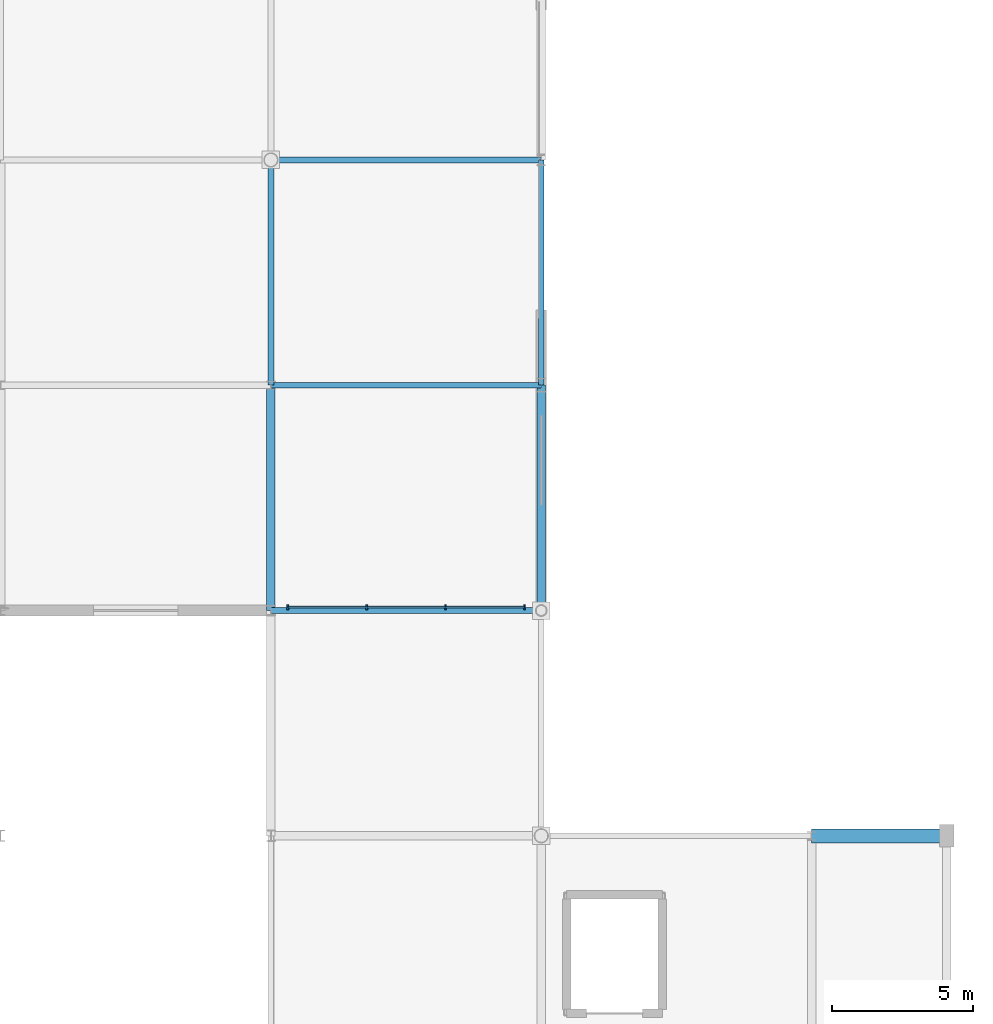
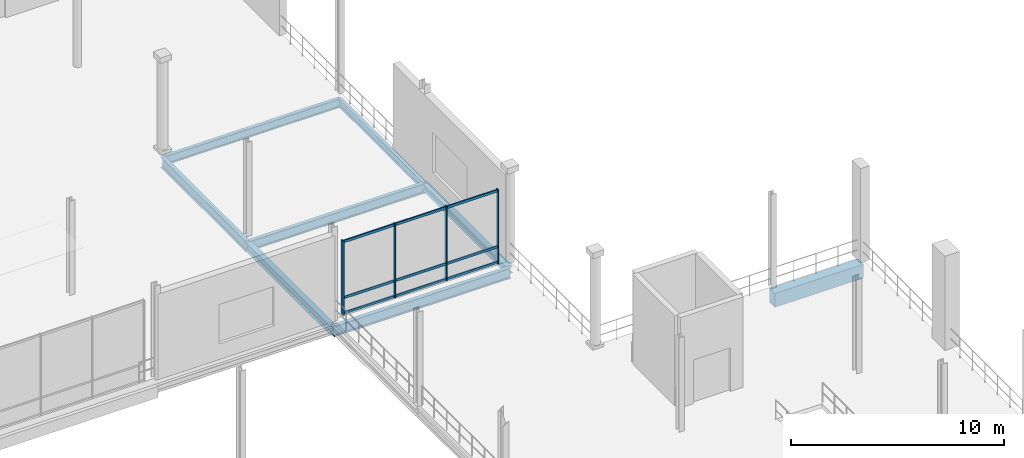
# One storey, part 61 of 129: 8 beams, 7 members, 1 element without a shape of its own.
"""IFC4 building model written with IfcOpenShell, lengths in metres."""

from ifc_helpers import new_model, si_unit, direction, frame, origin, origin_2d, place, context, subcontext, project, spatial, rectangle, i_section, extrude, material, material_profile, profile_set, type_object, element, aggregate, save


model = new_model("IFC4")

# Units and contexts
model_context = context("Model", 3, precision=1e-05, world=origin(), true_north=direction((0.0, 1.0)))
body_context = subcontext(model_context, "Body", "Model", "MODEL_VIEW")
ifc_project = project(units=[si_unit("LENGTHUNIT", "METRE"), si_unit("AREAUNIT", "SQUARE_METRE"), si_unit("VOLUMEUNIT", "CUBIC_METRE"), si_unit("PLANEANGLEUNIT", "RADIAN"), si_unit("MASSUNIT", "GRAM", prefix="KILO")], contexts=[model_context])

# Site, building, storey
site_placement = place(None, origin())
site = spatial("IfcSite", under=ifc_project, at=site_placement, CompositionType="ELEMENT")
building_placement = place(site_placement, origin())
building = spatial("IfcBuilding", under=site, at=building_placement, Name="Danafjord Basin Convention Centre", CompositionType="ELEMENT")
storey_placement = place(building_placement, frame((0.0, 0.0, 6.0)))
storey = spatial("IfcBuildingStorey", under=building, at=storey_placement, Name="L01", CompositionType="ELEMENT", Elevation=6.0)

# Beams
ifc_material_1 = material(Name="Steel S355", Category="steel")
ifc_material_profile_1 = material_profile(ifc_material_1, i_section(OverallWidth=0.300048828125, OverallDepth=0.5, WebThickness=0.014404296875, FlangeThickness=0.028076171875, FilletRadius=0.027099609375, at=origin_2d()), Name="HEB 500")
ifc_profile_set_1 = profile_set([ifc_material_profile_1], Name="Steel S355")
beam_type_1 = type_object("IfcBeamType", Name="BEAM-BM-HEB500", PredefinedType="BEAM", material=ifc_profile_set_1)
beam_1_placement = place(storey_placement, frame((192.0, 88.0, -0.610107421875), z_axis=(0.0, 1.0, 0.0), x_axis=(-1.0, 0.0, 0.0)))
element("IfcBeam", 1, at=beam_1_placement, inside=storey, type_object=beam_type_1, Name="L01 transverse girder BM-HEB500", PredefinedType="BEAM", context=body_context, shape_type="SweptSolid", body=[
    extrude(i_section(OverallWidth=0.300048828125, OverallDepth=0.5, WebThickness=0.014404296875, FlangeThickness=0.028076171875, FilletRadius=0.027099609375, at=origin_2d()), origin(), (0.0, 0.0, 1.0), 8.0),
])
ifc_material_profile_2 = material_profile(ifc_material_1, i_section(OverallWidth=0.199951171875, OverallDepth=0.5, WebThickness=0.01025390625, FlangeThickness=0.01611328125, FilletRadius=0.02099609375, at=origin_2d()), Name="IPE 500")
ifc_profile_set_2 = profile_set([ifc_material_profile_2], Name="Steel S355")
beam_type_2 = type_object("IfcBeamType", Name="BEAM-BM-IPE500", PredefinedType="BEAM", material=ifc_profile_set_2)
beam_2_placement = place(storey_placement, frame((192.0, 104.0, -0.610107421875), z_axis=(1.0, 0.0, 0.0), x_axis=(0.0, 1.0, 0.0)))
element("IfcBeam", 2, at=beam_2_placement, inside=storey, type_object=beam_type_2, Name="L01 girder BM-IPE500", PredefinedType="BEAM", context=body_context, shape_type="SweptSolid", body=[
    extrude(i_section(OverallWidth=0.199951171875, OverallDepth=0.5, WebThickness=0.01025390625, FlangeThickness=0.01611328125, FilletRadius=0.02099609375, at=origin_2d()), origin(), (0.0, 0.0, 1.0), 9.60009765625),
])
ifc_material_profile_3 = material_profile(ifc_material_1, i_section(OverallWidth=0.2099609375, OverallDepth=0.550048828125, WebThickness=0.010986328125, FlangeThickness=0.01708984375, FilletRadius=0.02392578125, at=origin_2d()), Name="IPE 550")
ifc_profile_set_3 = profile_set([ifc_material_profile_3], Name="Steel S355")
beam_type_3 = type_object("IfcBeamType", Name="BEAM-BM-IPE550", PredefinedType="BEAM", material=ifc_profile_set_3)
beam_3_placement = place(storey_placement, frame((192.0, 96.0, -0.635009765625), z_axis=(1.0, 0.0, 0.0), x_axis=(0.0, 1.0, 0.0)))
element("IfcBeam", 3, at=beam_3_placement, inside=storey, type_object=beam_type_3, Name="L01 girder BM-IPE550", PredefinedType="BEAM", context=body_context, shape_type="SweptSolid", body=[
    extrude(i_section(OverallWidth=0.2099609375, OverallDepth=0.550048828125, WebThickness=0.010986328125, FlangeThickness=0.01708984375, FilletRadius=0.02392578125, at=origin_2d()), origin(), (0.0, 0.0, 1.0), 9.60009765625),
])
ifc_material_profile_4 = material_profile(ifc_material_1, i_section(OverallWidth=0.219970703125, OverallDepth=0.60009765625, WebThickness=0.011962890625, FlangeThickness=0.01904296875, FilletRadius=0.02392578125, at=origin_2d()), Name="IPE 600")
ifc_profile_set_4 = profile_set([ifc_material_profile_4], Name="Steel S355")
beam_type_4 = type_object("IfcBeamType", Name="BEAM-BM-IPE600", PredefinedType="BEAM", material=ifc_profile_set_4)
beam_4_placement = place(storey_placement, frame((192.0, 88.0, -0.659912109375), z_axis=(1.0, 0.0, 0.0), x_axis=(0.0, 1.0, 0.0)))
element("IfcBeam", 4, at=beam_4_placement, inside=storey, type_object=beam_type_4, Name="L01 girder BM-IPE600", PredefinedType="BEAM", context=body_context, shape_type="SweptSolid", body=[
    extrude(i_section(OverallWidth=0.219970703125, OverallDepth=0.60009765625, WebThickness=0.011962890625, FlangeThickness=0.01904296875, FilletRadius=0.02392578125, at=origin_2d()), origin(), (0.0, 0.0, 1.0), 9.60009765625),
])
beam_5_placement = place(storey_placement, frame((192.0, 96.0, -0.659912109375), z_axis=(0.0, 1.0, 0.0), x_axis=(-1.0, 0.0, 0.0)))
element("IfcBeam", 5, at=beam_5_placement, inside=storey, type_object=beam_type_4, Name="L01 transverse girder BM-IPE600", PredefinedType="BEAM", context=body_context, shape_type="SweptSolid", body=[
    extrude(i_section(OverallWidth=0.219970703125, OverallDepth=0.60009765625, WebThickness=0.011962890625, FlangeThickness=0.01904296875, FilletRadius=0.02392578125, at=origin_2d()), origin(), (0.0, 0.0, 1.0), 8.0),
])
ifc_material_profile_5 = material_profile(ifc_material_1, i_section(OverallWidth=0.300048828125, OverallDepth=0.39990234375, WebThickness=0.013427734375, FlangeThickness=0.02392578125, FilletRadius=0.027099609375, at=origin_2d()), Name="HEB 400")
ifc_profile_set_5 = profile_set([ifc_material_profile_5], Name="Steel S355")
beam_type_5 = type_object("IfcBeamType", Name="BEAM-SP-HEB400", PredefinedType="SPANDREL", material=ifc_profile_set_5)
beam_6_placement = place(storey_placement, frame((201.60009765625, 88.0, -0.56005859375), z_axis=(0.0, 1.0, 0.0), x_axis=(-1.0, 0.0, 0.0)))
element("IfcBeam", 6, at=beam_6_placement, inside=storey, type_object=beam_type_5, Name="L01 transverse girder SP-HEB400", PredefinedType="SPANDREL", context=body_context, shape_type="SweptSolid", body=[
    extrude(i_section(OverallWidth=0.300048828125, OverallDepth=0.39990234375, WebThickness=0.013427734375, FlangeThickness=0.02392578125, FilletRadius=0.027099609375, at=origin_2d()), origin(), (0.0, 0.0, 1.0), 8.0),
])
ifc_material_profile_6 = material_profile(ifc_material_1, i_section(OverallWidth=0.18994140625, OverallDepth=0.449951171875, WebThickness=0.009521484375, FlangeThickness=0.0146484375, FilletRadius=0.02099609375, at=origin_2d()), Name="IPE 450")
ifc_profile_set_6 = profile_set([ifc_material_profile_6], Name="Steel S355")
beam_type_6 = type_object("IfcBeamType", Name="BEAM-SP-IPE450", PredefinedType="SPANDREL", material=ifc_profile_set_6)
beam_7_placement = place(storey_placement, frame((201.60009765625, 96.0, -0.5849609375), z_axis=(0.0, 1.0, 0.0), x_axis=(-1.0, 0.0, 0.0)))
element("IfcBeam", 7, at=beam_7_placement, inside=storey, type_object=beam_type_6, Name="L01 transverse girder SP-IPE450", PredefinedType="SPANDREL", context=body_context, shape_type="SweptSolid", body=[
    extrude(i_section(OverallWidth=0.18994140625, OverallDepth=0.449951171875, WebThickness=0.009521484375, FlangeThickness=0.0146484375, FilletRadius=0.02099609375, at=origin_2d()), origin(), (0.0, 0.0, 1.0), 8.0),
])
ifc_material_2 = material(Name="Precast concrete C45/55", Category="concrete")
ifc_material_profile_7 = material_profile(ifc_material_2, rectangle(XDim=0.5, YDim=0.800048828125, at=origin_2d()), Name="PCB 500x800")
ifc_profile_set_7 = profile_set([ifc_material_profile_7], Name="Precast concrete C45/55")
beam_type_7 = type_object("IfcBeamType", Name="BEAM-SP-PCB800", PredefinedType="SPANDREL", material=ifc_profile_set_7)
beam_8_placement = place(storey_placement, frame((211.199951171875, 80.0, -0.64990234375), z_axis=(1.0, 0.0, 0.0), x_axis=(0.0, 1.0, 0.0)))
element("IfcBeam", 8, at=beam_8_placement, inside=storey, type_object=beam_type_7, Name="L01 girder SP-PCB800", PredefinedType="SPANDREL", context=body_context, shape_type="SweptSolid", body=[
    extrude(rectangle(XDim=0.5, YDim=0.800048828125, at=origin_2d()), origin(), (0.0, 0.0, 1.0), 4.800048828125),
])

# Curtain wall, members
ifc_material_3 = material(Name="Anodised aluminium and triple glazing", Category="aluminium")
curtain_wall_type = type_object("IfcCurtainWallType", Name="CW-CW-DRUM", PredefinedType="NOTDEFINED", material=ifc_material_3)
curtain_wall_placement = place(storey_placement, origin())
curtain_wall = element("IfcCurtainWall", 9, at=curtain_wall_placement, inside=storey, type_object=curtain_wall_type, Name="L01 CW-DRUM unitised curtain wall bay 121", PredefinedType="NOTDEFINED")
ifc_material_4 = material(Name="Anodised aluminium EN AW-6060", Category="aluminium")
ifc_material_profile_8 = material_profile(ifc_material_4, rectangle(XDim=0.06005859375, YDim=0.179931640625, at=origin_2d()), Name="MULL 60x180")
ifc_profile_set_8 = profile_set([ifc_material_profile_8], Name="Anodised aluminium EN AW-6060")
member_type_1 = type_object("IfcMemberType", Name="MEM-ML-180", PredefinedType="MULLION", material=ifc_profile_set_8)
member_1_placement = place(storey_placement, frame((192.60009765625, 88.1201171875, -0.02490234375), z_axis=(0.0, 0.0, 1.0), x_axis=(1.0, 0.0, 0.0)))
member_1 = element("IfcMember", 10, at=member_1_placement, type_object=member_type_1, Name="CW-L01-121 mullion 1", PredefinedType="MULLION", context=body_context, shape_type="SweptSolid", body=[
    extrude(rectangle(XDim=0.06005859375, YDim=0.179931640625, at=origin_2d()), origin(), (0.0, 0.0, 1.0), 4.2548828125),
])
member_2_placement = place(storey_placement, frame((195.39990234375, 88.1201171875, -0.02490234375), z_axis=(0.0, 0.0, 1.0), x_axis=(1.0, 0.0, 0.0)))
member_2 = element("IfcMember", 11, at=member_2_placement, type_object=member_type_1, Name="CW-L01-121 mullion 2", PredefinedType="MULLION", context=body_context, shape_type="SweptSolid", body=[
    extrude(rectangle(XDim=0.06005859375, YDim=0.179931640625, at=origin_2d()), origin(), (0.0, 0.0, 1.0), 4.2548828125),
])
member_3_placement = place(storey_placement, frame((198.199951171875, 88.1201171875, -0.02490234375), z_axis=(0.0, 0.0, 1.0), x_axis=(1.0, 0.0, 0.0)))
member_3 = element("IfcMember", 12, at=member_3_placement, type_object=member_type_1, Name="CW-L01-121 mullion 3", PredefinedType="MULLION", context=body_context, shape_type="SweptSolid", body=[
    extrude(rectangle(XDim=0.06005859375, YDim=0.179931640625, at=origin_2d()), origin(), (0.0, 0.0, 1.0), 4.2548828125),
])
member_4_placement = place(storey_placement, frame((201.0, 88.1201171875, -0.02490234375), z_axis=(0.0, 0.0, 1.0), x_axis=(1.0, 0.0, 0.0)))
member_4 = element("IfcMember", 13, at=member_4_placement, type_object=member_type_1, Name="CW-L01-121 mullion 4", PredefinedType="MULLION", context=body_context, shape_type="SweptSolid", body=[
    extrude(rectangle(XDim=0.06005859375, YDim=0.179931640625, at=origin_2d()), origin(), (0.0, 0.0, 1.0), 4.2548828125),
])
ifc_material_profile_9 = material_profile(ifc_material_4, rectangle(XDim=0.06005859375, YDim=0.14990234375, at=origin_2d()), Name="TRAN 60x150")
ifc_profile_set_9 = profile_set([ifc_material_profile_9], Name="Anodised aluminium EN AW-6060")
member_type_2 = type_object("IfcMemberType", Name="MEM-TR-150", PredefinedType="USERDEFINED", material=ifc_profile_set_9)
member_5_placement = place(storey_placement, frame((192.60009765625, 88.1201171875, 0.06005859375), z_axis=(1.0, 0.0, 0.0), x_axis=(0.0, 1.0, 0.0)))
member_5 = element("IfcMember", 14, at=member_5_placement, type_object=member_type_2, Name="CW-L01-121 transom 1", ObjectType="TRANSOM", PredefinedType="USERDEFINED", context=body_context, shape_type="SweptSolid", body=[
    extrude(rectangle(XDim=0.06005859375, YDim=0.14990234375, at=origin_2d()), origin(), (0.0, 0.0, 1.0), 8.39990234375),
])
member_6_placement = place(storey_placement, frame((192.60009765625, 88.1201171875, 0.949951171875), z_axis=(1.0, 0.0, 0.0), x_axis=(0.0, 1.0, 0.0)))
member_6 = element("IfcMember", 15, at=member_6_placement, type_object=member_type_2, Name="CW-L01-121 transom 2", ObjectType="TRANSOM", PredefinedType="USERDEFINED", context=body_context, shape_type="SweptSolid", body=[
    extrude(rectangle(XDim=0.06005859375, YDim=0.14990234375, at=origin_2d()), origin(), (0.0, 0.0, 1.0), 8.39990234375),
])
member_7_placement = place(storey_placement, frame((192.60009765625, 88.1201171875, 4.159912109375), z_axis=(1.0, 0.0, 0.0), x_axis=(0.0, 1.0, 0.0)))
member_7 = element("IfcMember", 16, at=member_7_placement, type_object=member_type_2, Name="CW-L01-121 transom 3", ObjectType="TRANSOM", PredefinedType="USERDEFINED", context=body_context, shape_type="SweptSolid", body=[
    extrude(rectangle(XDim=0.06005859375, YDim=0.14990234375, at=origin_2d()), origin(), (0.0, 0.0, 1.0), 8.39990234375),
])
aggregate(curtain_wall, [member_1, member_2, member_3, member_4, member_5, member_6, member_7])

save(model, "model.ifc")
